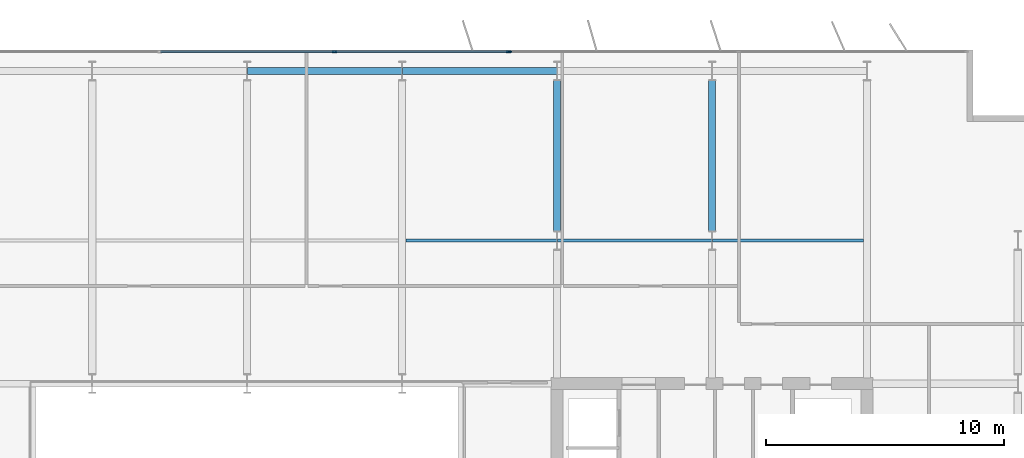
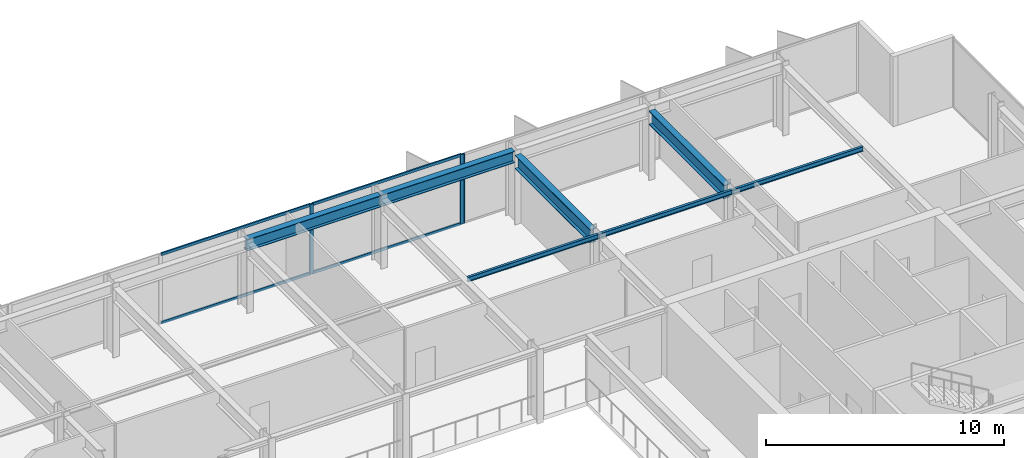
# One storey, part 12 of 23: 7 beams, 7 members, 2 elements without a shape of their own.
"""IFC4 building model written with IfcOpenShell, lengths in metres."""

from ifc_helpers import new_model, si_unit, direction, frame, origin, origin_2d, place, context, subcontext, project, spatial, rectangle, i_section, extrude, material, layer, layer_set, material_profile, profile_set, type_object, element, aggregate, save


model = new_model("IFC4")

# Units and contexts
model_context = context("Model", 3, precision=1e-05, world=origin(), true_north=direction((0.0, 1.0)))
body_context = subcontext(model_context, "Body", "Model", "MODEL_VIEW")
ifc_project = project(units=[si_unit("LENGTHUNIT", "METRE"), si_unit("AREAUNIT", "SQUARE_METRE"), si_unit("VOLUMEUNIT", "CUBIC_METRE"), si_unit("PLANEANGLEUNIT", "RADIAN"), si_unit("MASSUNIT", "GRAM", prefix="KILO")], contexts=[model_context])

# Site, building, storey
site_placement = place(None, origin())
site = spatial("IfcSite", under=ifc_project, at=site_placement, CompositionType="ELEMENT")
building_placement = place(site_placement, origin())
building = spatial("IfcBuilding", under=site, at=building_placement, Name="Putna Gate Headquarters", CompositionType="ELEMENT")
storey_placement = place(building_placement, frame((0.0, 0.0, 217.60009765625)))
storey = spatial("IfcBuildingStorey", under=building, at=storey_placement, Name="L54", CompositionType="ELEMENT", Elevation=217.60009765625)

# Beams
ifc_material_1 = material(Name="Steel S355J2", Category="steel")
ifc_material_profile_1 = material_profile(ifc_material_1, i_section(OverallWidth=0.300048828125, OverallDepth=0.699951171875, WebThickness=0.01708984375, FlangeThickness=0.031982421875, at=origin_2d()), Name="Steel S355J2")
ifc_profile_set_1 = profile_set([ifc_material_profile_1], Name="Steel S355J2")
beam_type_1 = type_object("IfcBeamType", Name="BM-GIRD-B-HEB700", PredefinedType="USERDEFINED", material=ifc_profile_set_1)
for number, where, z_axis, x_axis, name in (
    (1, (52.0, 39.39501953125, 3.22998046875), (0.0, 1.0, 0.0), (-1.0, 0.0, 0.0), "L54 North Primary Girder X52-2"),
    (2, (58.5, 39.39501953125, 3.22998046875), (0.0, 1.0, 0.0), (-1.0, 0.0, 0.0), "L54 North Primary Girder X58-2"),
):
    element("IfcBeam", number, at=place(storey_placement, frame(where, z_axis=z_axis, x_axis=x_axis)), inside=storey, type_object=beam_type_1, Name=name, ObjectType="GIRDER", PredefinedType="USERDEFINED", context=body_context, shape_type="SweptSolid", body=[
        extrude(i_section(OverallWidth=0.300048828125, OverallDepth=0.699951171875, WebThickness=0.01708984375, FlangeThickness=0.031982421875, at=origin_2d()), origin(), (0.0, 0.0, 1.0), 6.330078125),
    ])
ifc_material_profile_2 = material_profile(ifc_material_1, i_section(OverallWidth=0.1201171875, OverallDepth=0.239990234375, WebThickness=0.006103515625, FlangeThickness=0.009765625, at=origin_2d()), Name="Steel S355J2")
ifc_profile_set_2 = profile_set([ifc_material_profile_2], Name="Steel S355J2")
beam_type_2 = type_object("IfcBeamType", Name="BM-SEC-Z4-IPE240", PredefinedType="JOIST", material=ifc_profile_set_2)
beam_1_placement = place(storey_placement, frame((45.654052734375, 39.0, 3.4599609375), z_axis=(1.0, 0.0, 0.0), x_axis=(0.0, 1.0, 0.0)))
element("IfcBeam", 3, at=beam_1_placement, inside=storey, type_object=beam_type_2, Name="L54 North Secondary Beam 6", PredefinedType="JOIST", context=body_context, shape_type="SweptSolid", body=[
    extrude(i_section(OverallWidth=0.1201171875, OverallDepth=0.239990234375, WebThickness=0.006103515625, FlangeThickness=0.009765625, at=origin_2d()), origin(), (0.0, 0.0, 1.0), 6.33984375),
])
beam_2_placement = place(storey_placement, frame((52.006103515625, 39.0, 3.4599609375), z_axis=(1.0, 0.0, 0.0), x_axis=(0.0, 1.0, 0.0)))
element("IfcBeam", 4, at=beam_2_placement, inside=storey, type_object=beam_type_2, Name="L54 North Secondary Beam 7", PredefinedType="JOIST", context=body_context, shape_type="SweptSolid", body=[
    extrude(i_section(OverallWidth=0.1201171875, OverallDepth=0.239990234375, WebThickness=0.006103515625, FlangeThickness=0.009765625, at=origin_2d()), origin(), (0.0, 0.0, 1.0), 6.48779296875),
])
beam_3_placement = place(storey_placement, frame((58.506103515625, 39.0, 3.4599609375), z_axis=(1.0, 0.0, 0.0), x_axis=(0.0, 1.0, 0.0)))
element("IfcBeam", 5, at=beam_3_placement, inside=storey, type_object=beam_type_2, Name="L54 North Secondary Beam 8", PredefinedType="JOIST", context=body_context, shape_type="SweptSolid", body=[
    extrude(i_section(OverallWidth=0.1201171875, OverallDepth=0.239990234375, WebThickness=0.006103515625, FlangeThickness=0.009765625, at=origin_2d()), origin(), (0.0, 0.0, 1.0), 6.33984375),
])
ifc_material_profile_3 = material_profile(ifc_material_1, i_section(OverallWidth=0.300048828125, OverallDepth=0.590087890625, WebThickness=0.012939453125, FlangeThickness=0.02490234375, at=origin_2d()), Name="Steel S355J2")
ifc_profile_set_3 = profile_set([ifc_material_profile_3], Name="Steel S355J2")
beam_type_3 = type_object("IfcBeamType", Name="BM-SPAN-Z4-HEA600", PredefinedType="SPANDREL", material=ifc_profile_set_3)
for number, where, z_axis, x_axis, name in (
    (6, (39.006103515625, 46.1201171875, 3.284912109375), (1.0, 0.0, 0.0), (0.0, 1.0, 0.0), "L54 N Perimeter Spandrel 5"),
    (7, (45.506103515625, 46.1201171875, 3.284912109375), (1.0, 0.0, 0.0), (0.0, 1.0, 0.0), "L54 N Perimeter Spandrel 6"),
):
    element("IfcBeam", number, at=place(storey_placement, frame(where, z_axis=z_axis, x_axis=x_axis)), inside=storey, type_object=beam_type_3, Name=name, PredefinedType="SPANDREL", context=body_context, shape_type="SweptSolid", body=[
        extrude(i_section(OverallWidth=0.300048828125, OverallDepth=0.590087890625, WebThickness=0.012939453125, FlangeThickness=0.02490234375, at=origin_2d()), origin(), (0.0, 0.0, 1.0), 6.48779296875),
    ])

# Curtain wall, member
ifc_material_2 = material(Name="Anodised bronze aluminium curtain wall", Category="aluminium")
ifc_layer_1 = layer(ifc_material_2, 0.139892578125)
ifc_layer_set_1 = layer_set([ifc_layer_1], Name="Anodised bronze aluminium curtain wall")
curtain_wall_type_1 = type_object("IfcCurtainWallType", Name="CW-SYS-Z4", PredefinedType="USERDEFINED", material=ifc_layer_set_1)
curtain_wall_1_placement = place(storey_placement, origin())
curtain_wall_1 = element("IfcCurtainWall", 8, at=curtain_wall_1_placement, inside=storey, type_object=curtain_wall_type_1, Name="L54 North East Curtain Wall", ObjectType="STICK CURTAIN WALL", PredefinedType="USERDEFINED")
ifc_material_3 = material(Name="Anodised bronze aluminium EN AW-6060", Category="aluminium")
ifc_material_profile_4 = material_profile(ifc_material_3, rectangle(XDim=0.06005859375, YDim=0.139892578125, at=origin_2d()), Name="Anodised bronze aluminium EN AW-6060")
ifc_profile_set_4 = profile_set([ifc_material_profile_4], Name="Anodised bronze aluminium EN AW-6060")
member_type_1 = type_object("IfcMemberType", Name="MULL-CWM-4", PredefinedType="MULLION", material=ifc_profile_set_4)
member_1_placement = place(storey_placement, frame((50.030029296875, 46.919921875, 0.0), z_axis=(0.0, 0.0, 1.0), x_axis=(0.0, 1.0, 0.0)))
member_1 = element("IfcMember", 9, at=member_1_placement, type_object=member_type_1, Name="CWS-4 mullion 1", PredefinedType="MULLION", context=body_context, shape_type="SweptSolid", body=[
    extrude(rectangle(XDim=0.06005859375, YDim=0.139892578125, at=origin_2d()), origin(), (0.0, 0.0, 1.0), 3.579833984375),
])
aggregate(curtain_wall_1, [member_1])

# Curtain wall, members
ifc_layer_2 = layer(ifc_material_2, 0.179931640625)
ifc_layer_set_2 = layer_set([ifc_layer_2], Name="Anodised bronze aluminium curtain wall")
curtain_wall_type_2 = type_object("IfcCurtainWallType", Name="CW-SYS-ATR", PredefinedType="USERDEFINED", material=ifc_layer_set_2)
curtain_wall_2_placement = place(storey_placement, origin())
curtain_wall_2 = element("IfcCurtainWall", 10, at=curtain_wall_2_placement, inside=storey, type_object=curtain_wall_type_2, Name="L54 North Atrium Clear Glazing", ObjectType="ATRIUM GLAZING", PredefinedType="USERDEFINED")
ifc_material_profile_5 = material_profile(ifc_material_3, rectangle(XDim=0.070068359375, YDim=0.179931640625, at=origin_2d()), Name="Anodised bronze aluminium EN AW-6060")
ifc_profile_set_5 = profile_set([ifc_material_profile_5], Name="Anodised bronze aluminium EN AW-6060")
member_type_2 = type_object("IfcMemberType", Name="MULL-CWM-AT", PredefinedType="MULLION", material=ifc_profile_set_5)
member_2_placement = place(storey_placement, frame((42.666748046875, 46.919921875, 0.0), z_axis=(0.0, 0.0, 1.0), x_axis=(0.0, 1.0, 0.0)))
member_2 = element("IfcMember", 11, at=member_2_placement, type_object=member_type_2, Name="CWS-AT mullion 3", PredefinedType="MULLION", context=body_context, shape_type="SweptSolid", body=[
    extrude(rectangle(XDim=0.070068359375, YDim=0.179931640625, at=origin_2d()), origin(), (0.0, 0.0, 1.0), 3.579833984375),
])
member_3_placement = place(storey_placement, frame((49.965087890625, 46.919921875, 0.0), z_axis=(0.0, 0.0, 1.0), x_axis=(0.0, 1.0, 0.0)))
member_3 = element("IfcMember", 12, at=member_3_placement, type_object=member_type_2, Name="CWS-AT mullion 4", PredefinedType="MULLION", context=body_context, shape_type="SweptSolid", body=[
    extrude(rectangle(XDim=0.070068359375, YDim=0.179931640625, at=origin_2d()), origin(), (0.0, 0.0, 1.0), 3.579833984375),
])
ifc_material_profile_6 = material_profile(ifc_material_3, rectangle(XDim=0.070068359375, YDim=0.139892578125, at=origin_2d()), Name="Anodised bronze aluminium EN AW-6060")
ifc_profile_set_6 = profile_set([ifc_material_profile_6], Name="Anodised bronze aluminium EN AW-6060")
member_type_3 = type_object("IfcMemberType", Name="TRAN-CWT-AT", PredefinedType="USERDEFINED", material=ifc_profile_set_6)
member_4_placement = place(storey_placement, frame((35.368408203125, 46.919921875, 0.034912109375), z_axis=(1.0, 0.0, 0.0), x_axis=(0.0, 1.0, 0.0)))
member_4 = element("IfcMember", 13, at=member_4_placement, type_object=member_type_3, Name="CWS-AT transom 2.1", ObjectType="TRANSOM", PredefinedType="USERDEFINED", context=body_context, shape_type="SweptSolid", body=[
    extrude(rectangle(XDim=0.070068359375, YDim=0.139892578125, at=origin_2d()), origin(), (0.0, 0.0, 1.0), 7.26318359375),
])
member_5_placement = place(storey_placement, frame((35.368408203125, 46.919921875, 3.544921875), z_axis=(1.0, 0.0, 0.0), x_axis=(0.0, 1.0, 0.0)))
member_5 = element("IfcMember", 14, at=member_5_placement, type_object=member_type_3, Name="CWS-AT transom 2.2", ObjectType="TRANSOM", PredefinedType="USERDEFINED", context=body_context, shape_type="SweptSolid", body=[
    extrude(rectangle(XDim=0.070068359375, YDim=0.139892578125, at=origin_2d()), origin(), (0.0, 0.0, 1.0), 7.26318359375),
])
member_6_placement = place(storey_placement, frame((42.70166015625, 46.919921875, 0.034912109375), z_axis=(1.0, 0.0, 0.0), x_axis=(0.0, 1.0, 0.0)))
member_6 = element("IfcMember", 15, at=member_6_placement, type_object=member_type_3, Name="CWS-AT transom 3.1", ObjectType="TRANSOM", PredefinedType="USERDEFINED", context=body_context, shape_type="SweptSolid", body=[
    extrude(rectangle(XDim=0.070068359375, YDim=0.139892578125, at=origin_2d()), origin(), (0.0, 0.0, 1.0), 7.228271484375),
])
member_7_placement = place(storey_placement, frame((42.70166015625, 46.919921875, 3.544921875), z_axis=(1.0, 0.0, 0.0), x_axis=(0.0, 1.0, 0.0)))
member_7 = element("IfcMember", 16, at=member_7_placement, type_object=member_type_3, Name="CWS-AT transom 3.2", ObjectType="TRANSOM", PredefinedType="USERDEFINED", context=body_context, shape_type="SweptSolid", body=[
    extrude(rectangle(XDim=0.070068359375, YDim=0.139892578125, at=origin_2d()), origin(), (0.0, 0.0, 1.0), 7.228271484375),
])
aggregate(curtain_wall_2, [member_2, member_3, member_4, member_5, member_6, member_7])

save(model, "model.ifc")
